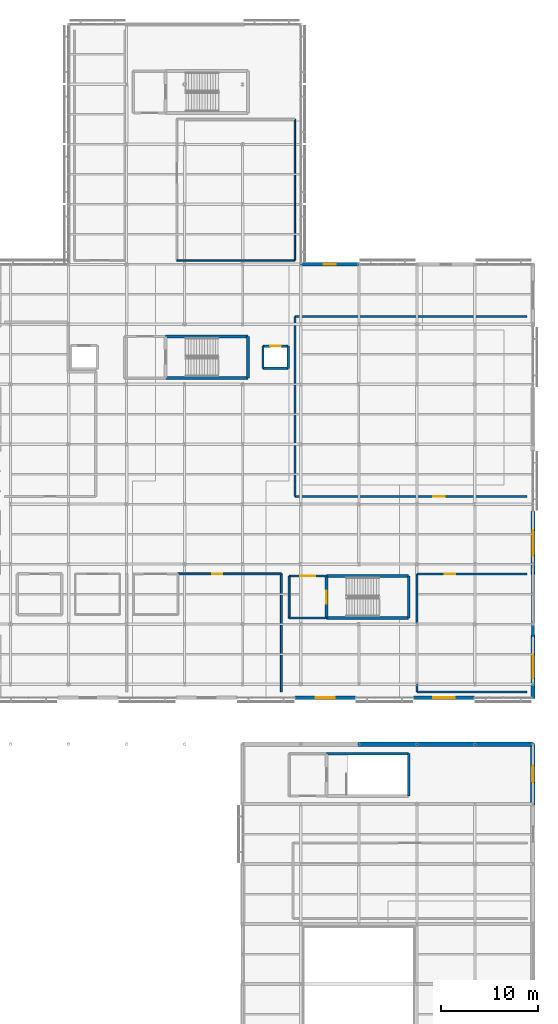
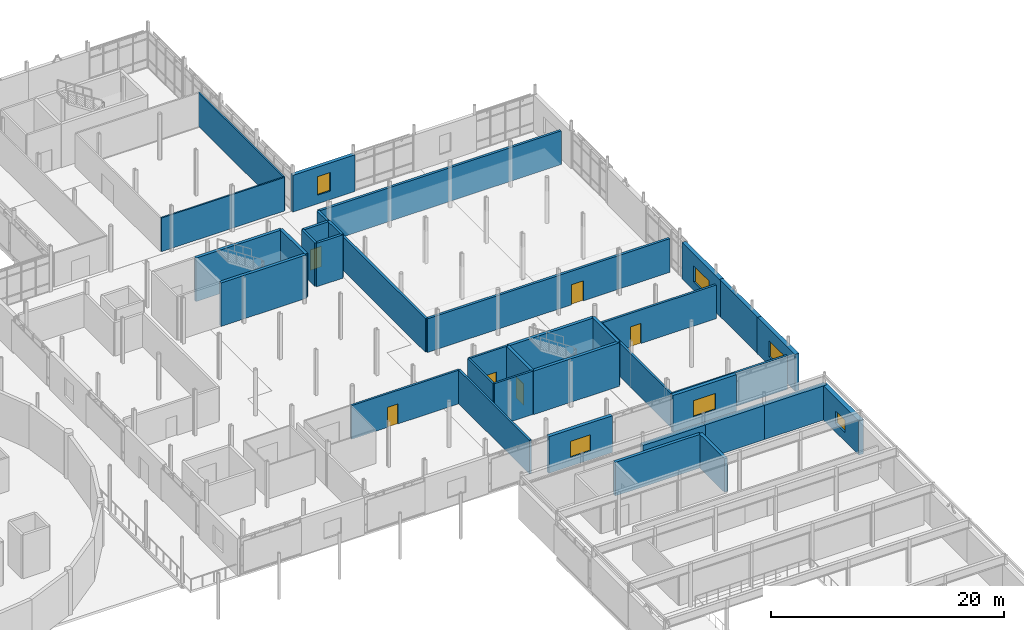
# One storey, part 62 of 84: 36 walls, 6 doors, 6 windows, 12 openings.
"""IFC4 building model written with IfcOpenShell, lengths in metres."""

from ifc_helpers import new_model, si_unit, direction, frame, frame_2d, origin, place, context, subcontext, project, spatial, rectangle, extrude, material, layer, layer_set, type_object, element, fill, save


model = new_model("IFC4")

# Units and contexts
model_context = context("Model", 3, precision=1e-05, world=origin(), true_north=direction((0.0, 1.0)))
body_context = subcontext(model_context, "Body", "Model", "MODEL_VIEW")
ifc_project = project(units=[si_unit("LENGTHUNIT", "METRE"), si_unit("AREAUNIT", "SQUARE_METRE"), si_unit("VOLUMEUNIT", "CUBIC_METRE"), si_unit("PLANEANGLEUNIT", "RADIAN"), si_unit("MASSUNIT", "GRAM", prefix="KILO")], contexts=[model_context])

# Site, building, storey
site_placement = place(None, origin())
site = spatial("IfcSite", under=ifc_project, at=site_placement, CompositionType="ELEMENT")
building_placement = place(site_placement, origin())
building = spatial("IfcBuilding", under=site, at=building_placement, Name="Mirzam Square Science Centre", CompositionType="ELEMENT")
storey_placement = place(building_placement, frame((0.0, 0.0, 10.800048828125)))
storey = spatial("IfcBuildingStorey", under=building, at=storey_placement, Name="L02", CompositionType="ELEMENT", Elevation=10.800048828125)

# Walls
ifc_material_1 = material(Name="Concrete C45/55", Category="concrete")
ifc_layer_1 = layer(ifc_material_1, 0.300048828125)
ifc_layer_set_1 = layer_set([ifc_layer_1], Name="W-CORE-300")
wall_type_1 = type_object("IfcWallType", Name="W-CORE-300", PredefinedType="SHEAR", material=ifc_layer_set_1)
for number, where, z_axis, x_axis, name in (
    (1, (124.0400390625, 75.0400390625, 0.0), (0.0, 0.0, 1.0), (1.0, 0.0, 0.0), "L02 CORE-4 south wall"),
    (2, (132.56005859375, 79.330078125, 0.0), (0.0, 0.0, 1.0), (-1.0, 0.0, 0.0), "L02 CORE-4 north wall"),
):
    element("IfcWall", number, at=place(storey_placement, frame(where, z_axis=z_axis, x_axis=x_axis)), inside=storey, type_object=wall_type_1, Name=name, PredefinedType="SHEAR", context=body_context, shape_type="SweptSolid", body=[
        extrude(rectangle(XDim=8.52001953125, YDim=0.300048828125, at=frame_2d((4.260009765625, 0.0))), origin(), (0.0, 0.0, 1.0), 4.550048828125),
    ])
wall_1_placement = place(storey_placement, frame((132.56005859375, 75.0400390625, 0.0), z_axis=(0.0, 0.0, 1.0), x_axis=(0.0, 1.0, 0.0)))
element("IfcWall", 3, at=wall_1_placement, inside=storey, type_object=wall_type_1, Name="L02 CORE-4 east wall", PredefinedType="SHEAR", context=body_context, shape_type="SweptSolid", body=[
    extrude(rectangle(XDim=4.2900390625, YDim=0.300048828125, at=frame_2d((2.14501953125, 0.0))), origin(), (0.0, 0.0, 1.0), 4.550048828125),
])
for number, where, z_axis, x_axis, name in (
    (4, (140.639892578125, 50.239990234375, 0.0), (0.0, 0.0, 1.0), (1.0, 0.0, 0.0), "L02 CORE-5 south wall"),
    (5, (149.159912109375, 54.570068359375, 0.0), (0.0, 0.0, 1.0), (-1.0, 0.0, 0.0), "L02 CORE-5 north wall"),
):
    element("IfcWall", number, at=place(storey_placement, frame(where, z_axis=z_axis, x_axis=x_axis)), inside=storey, type_object=wall_type_1, Name=name, PredefinedType="SHEAR", context=body_context, shape_type="SweptSolid", body=[
        extrude(rectangle(XDim=8.52001953125, YDim=0.300048828125, at=frame_2d((4.260009765625, 0.0))), origin(), (0.0, 0.0, 1.0), 4.550048828125),
    ])

# Wall, opening, door
wall_2_placement = place(storey_placement, frame((140.639892578125, 54.570068359375, 0.0), z_axis=(0.0, 0.0, 1.0), x_axis=(0.0, -1.0, 0.0)))
wall_2 = element("IfcWall", 6, at=wall_2_placement, inside=storey, type_object=wall_type_1, Name="L02 CORE-5 west wall", PredefinedType="SHEAR", context=body_context, shape_type="SweptSolid", body=[
    extrude(rectangle(XDim=4.330078125, YDim=0.300048828125, at=frame_2d((2.1650390625, 0.0))), origin(), (0.0, 0.0, 1.0), 4.550048828125),
])
opening_1_placement = place(wall_2_placement, frame((1.489990234375, 0.0, 0.0)))
opening_1 = element("IfcOpeningElement", 7, at=opening_1_placement, cuts=wall_2, Name="Opening DS-01", PredefinedType="OPENING", context=body_context, shape_type="SweptSolid", body=[
    extrude(rectangle(XDim=1.35009765625, YDim=2.199951171875, at=frame_2d((0.675048828125, 1.10009765625))), frame((0.0, 0.159912109375, 0.0), z_axis=(0.0, -1.0, 0.0), x_axis=(1.0, 0.0, 0.0)), (0.0, 0.0, 1.0), 0.320068359375),
])
ifc_material_2 = material(Name="Fire-Rated Powder-Coated Architectural Steel Door", Category="steel")
door_type_1 = type_object("IfcDoorType", Name="DR-STAIR-1350x2200", OperationType="NOTDEFINED", PredefinedType="DOOR", material=ifc_material_2)
door_1_placement = place(opening_1_placement, origin())
door_1 = element("IfcDoor", 8, at=door_1_placement, inside=storey, type_object=door_type_1, Name="DRS-5-L02", OperationType="SINGLE_SWING_RIGHT", OverallHeight=2.199951171875, OverallWidth=1.35009765625, PredefinedType="DOOR", context=body_context, shape_type="SweptSolid", body=[
    extrude(rectangle(XDim=1.35009765625, YDim=2.199951171875, at=frame_2d((0.675048828125, 1.10009765625))), frame((0.0, 0.02490234375, 0.0), z_axis=(0.0, -1.0, 0.0), x_axis=(1.0, 0.0, 0.0)), (0.0, 0.0, 1.0), 0.050048828125),
])
fill(opening_1, door_1)

# Walls
wall_3_placement = place(storey_placement, frame((149.159912109375, 50.239990234375, 0.0), z_axis=(0.0, 0.0, 1.0), x_axis=(0.0, 1.0, 0.0)))
element("IfcWall", 9, at=wall_3_placement, inside=storey, type_object=wall_type_1, Name="L02 CORE-5 east wall", PredefinedType="SHEAR", context=body_context, shape_type="SweptSolid", body=[
    extrude(rectangle(XDim=4.330078125, YDim=0.300048828125, at=frame_2d((2.1650390625, 0.0))), origin(), (0.0, 0.0, 1.0), 4.550048828125),
])
wall_4_placement = place(storey_placement, frame((149.159912109375, 36.2099609375, 0.0), z_axis=(0.0, 0.0, 1.0), x_axis=(-1.0, 0.0, 0.0)))
element("IfcWall", 10, at=wall_4_placement, inside=storey, type_object=wall_type_1, Name="L02 CORE-6 north wall", PredefinedType="SHEAR", context=body_context, shape_type="SweptSolid", body=[
    extrude(rectangle(XDim=8.52001953125, YDim=0.300048828125, at=frame_2d((4.260009765625, 0.0))), origin(), (0.0, 0.0, 1.0), 3.52001953125),
])
wall_5_placement = place(storey_placement, frame((149.159912109375, 31.840087890625, 0.0), z_axis=(0.0, 0.0, 1.0), x_axis=(0.0, 1.0, 0.0)))
element("IfcWall", 11, at=wall_5_placement, inside=storey, type_object=wall_type_1, Name="L02 CORE-6 east wall", PredefinedType="SHEAR", context=body_context, shape_type="SweptSolid", body=[
    extrude(rectangle(XDim=4.369873046875, YDim=0.300048828125, at=frame_2d((2.18505859375, 0.0))), origin(), (0.0, 0.0, 1.0), 3.52001953125),
])

# Wall, opening, window
ifc_material_3 = material(Name="Acoustic Ashlar Limestone Concrete C45/55", Category="masonry")
ifc_layer_2 = layer(ifc_material_3, 0.465087890625)
ifc_layer_set_2 = layer_set([ifc_layer_2], Name="W-EXT-ACOUST-465")
wall_type_2 = type_object("IfcWallType", Name="W-EXT-ACOUST-465", PredefinedType="SOLIDWALL", material=ifc_layer_set_2)
wall_6_placement = place(storey_placement, frame((162.0, 30.925048828125, 0.0), z_axis=(0.0, 0.0, 1.0), x_axis=(0.0, 1.0, 0.0)))
wall_6 = element("IfcWall", 12, at=wall_6_placement, inside=storey, type_object=wall_type_2, Name="L02 external wall EW-TH-E-L02-06", PredefinedType="SOLIDWALL", context=body_context, shape_type="SweptSolid", body=[
    extrude(rectangle(XDim=6.349853515625, YDim=0.465087890625, at=frame_2d((3.1748046875, 0.0))), origin(), (0.0, 0.0, 1.0), 3.579833984375),
])
opening_2_placement = place(wall_6_placement, frame((2.324951171875, 0.0, 0.89990234375)))
opening_2 = element("IfcOpeningElement", 13, at=opening_2_placement, cuts=wall_6, Name="Opening W-05", PredefinedType="OPENING", context=body_context, shape_type="SweptSolid", body=[
    extrude(rectangle(XDim=1.699951171875, YDim=1.300048828125, at=frame_2d((0.85009765625, 0.64990234375))), frame((0.0, 0.242431640625, 0.0), z_axis=(0.0, -1.0, 0.0), x_axis=(1.0, 0.0, 0.0)), (0.0, 0.0, 1.0), 0.485107421875),
])
ifc_material_4 = material(Name="Thermally Broken Bronze Aluminium and Low-E Glass", Category="aluminium")
window_type_1 = type_object("IfcWindowType", Name="WIN-1700x1300", PartitioningType="SINGLE_PANEL", PredefinedType="WINDOW", material=ifc_material_4)
window_1_placement = place(opening_2_placement, origin())
window_1 = element("IfcWindow", 14, at=window_1_placement, inside=storey, type_object=window_type_1, Name="L02 solar window 049", OverallHeight=1.300048828125, OverallWidth=1.699951171875, PartitioningType="SINGLE_PANEL", PredefinedType="WINDOW", context=body_context, shape_type="SweptSolid", body=[
    extrude(rectangle(XDim=1.699951171875, YDim=1.300048828125, at=frame_2d((0.85009765625, 0.64990234375))), frame((0.0, 0.030029296875, 0.0), z_axis=(0.0, -1.0, 0.0), x_axis=(1.0, 0.0, 0.0)), (0.0, 0.0, 1.0), 0.06005859375),
])
fill(opening_2, window_1)

# Walls
for number, where, z_axis, x_axis, name in (
    (15, (150.074951171875, 37.199951171875, 0.0), (0.0, 0.0, 1.0), (-1.0, 0.0, 0.0), "L02 external wall EW-TH-N-L02-25"),
    (16, (156.074951171875, 37.199951171875, 0.0), (0.0, 0.0, 1.0), (-1.0, 0.0, 0.0), "L02 external wall EW-TH-N-L02-26"),
    (17, (162.074951171875, 37.199951171875, 0.0), (0.0, 0.0, 1.0), (-1.0, 0.0, 0.0), "L02 external wall EW-TH-N-L02-27"),
):
    element("IfcWall", number, at=place(storey_placement, frame(where, z_axis=z_axis, x_axis=x_axis)), inside=storey, type_object=wall_type_2, Name=name, PredefinedType="SOLIDWALL", context=body_context, shape_type="SweptSolid", body=[
        extrude(rectangle(XDim=6.14990234375, YDim=0.465087890625, at=frame_2d((3.074951171875, 0.0))), origin(), (0.0, 0.0, 1.0), 3.579833984375),
    ])

# Wall, opening, window
ifc_material_5 = material(Name="Insulated Sand-Toned GFRC Concrete C40/50", Category="concrete")
ifc_layer_3 = layer(ifc_material_5, 0.340087890625)
ifc_layer_set_3 = layer_set([ifc_layer_3], Name="W-EXT-GFRC-340")
wall_type_3 = type_object("IfcWallType", Name="W-EXT-GFRC-340", PredefinedType="SOLIDWALL", material=ifc_layer_set_3)
wall_7_placement = place(storey_placement, frame((137.3916015625, 42.0, 0.0), z_axis=(0.0, 0.0, 1.0), x_axis=(1.0, 0.0, 0.0)))
wall_7 = element("IfcWall", 18, at=wall_7_placement, inside=storey, type_object=wall_type_3, Name="L02 external wall EW-EST-S-L02-06", PredefinedType="SOLIDWALL", context=body_context, shape_type="SweptSolid", body=[
    extrude(rectangle(XDim=6.283447265625, YDim=0.340087890625, at=frame_2d((3.1416015625, 0.0))), origin(), (0.0, 0.0, 1.0), 3.83984375),
])
opening_3_placement = place(wall_7_placement, frame((2.1416015625, 0.0, 0.89990234375)))
opening_3 = element("IfcOpeningElement", 19, at=opening_3_placement, cuts=wall_7, Name="Opening W-29", PredefinedType="OPENING", context=body_context, shape_type="SweptSolid", body=[
    extrude(rectangle(XDim=2.0, YDim=1.699951171875, at=frame_2d((1.0, 0.85009765625))), frame((0.0, 0.179931640625, 0.0), z_axis=(0.0, -1.0, 0.0), x_axis=(1.0, 0.0, 0.0)), (0.0, 0.0, 1.0), 0.360107421875),
])
window_type_2 = type_object("IfcWindowType", Name="WIN-2000x1700", PartitioningType="DOUBLE_PANEL_VERTICAL", PredefinedType="WINDOW", material=ifc_material_4)
window_2_placement = place(opening_3_placement, origin())
window_2 = element("IfcWindow", 20, at=window_2_placement, inside=storey, type_object=window_type_2, Name="L02 solar window 073", OverallHeight=1.699951171875, OverallWidth=2.0, PartitioningType="DOUBLE_PANEL_VERTICAL", PredefinedType="WINDOW", context=body_context, shape_type="SweptSolid", body=[
    extrude(rectangle(XDim=2.0, YDim=1.699951171875, at=frame_2d((1.0, 0.85009765625))), frame((0.0, 0.030029296875, 0.0), z_axis=(0.0, -1.0, 0.0), x_axis=(1.0, 0.0, 0.0)), (0.0, 0.0, 1.0), 0.06005859375),
])
fill(opening_3, window_2)

wall_8_placement = place(storey_placement, frame((149.658203125, 42.0, 0.0), z_axis=(0.0, 0.0, 1.0), x_axis=(1.0, 0.0, 0.0)))
wall_8 = element("IfcWall", 21, at=wall_8_placement, inside=storey, type_object=wall_type_3, Name="L02 external wall EW-EST-S-L02-08", PredefinedType="SOLIDWALL", context=body_context, shape_type="SweptSolid", body=[
    extrude(rectangle(XDim=6.283447265625, YDim=0.340087890625, at=frame_2d((3.1416015625, 0.0))), origin(), (0.0, 0.0, 1.0), 3.83984375),
])
opening_4_placement = place(wall_8_placement, frame((2.041748046875, 0.0, 0.89990234375)))
opening_4 = element("IfcOpeningElement", 22, at=opening_4_placement, cuts=wall_8, Name="Opening W-30", PredefinedType="OPENING", context=body_context, shape_type="SweptSolid", body=[
    extrude(rectangle(XDim=2.199951171875, YDim=1.699951171875, at=frame_2d((1.10009765625, 0.85009765625))), frame((0.0, 0.179931640625, 0.0), z_axis=(0.0, -1.0, 0.0), x_axis=(1.0, 0.0, 0.0)), (0.0, 0.0, 1.0), 0.360107421875),
])
window_type_3 = type_object("IfcWindowType", Name="WIN-2200x1700", PartitioningType="DOUBLE_PANEL_VERTICAL", PredefinedType="WINDOW", material=ifc_material_4)
window_3_placement = place(opening_4_placement, origin())
window_3 = element("IfcWindow", 23, at=window_3_placement, inside=storey, type_object=window_type_3, Name="L02 solar window 074", OverallHeight=1.699951171875, OverallWidth=2.199951171875, PartitioningType="DOUBLE_PANEL_VERTICAL", PredefinedType="WINDOW", context=body_context, shape_type="SweptSolid", body=[
    extrude(rectangle(XDim=2.199951171875, YDim=1.699951171875, at=frame_2d((1.10009765625, 0.85009765625))), frame((0.0, 0.030029296875, 0.0), z_axis=(0.0, -1.0, 0.0), x_axis=(1.0, 0.0, 0.0)), (0.0, 0.0, 1.0), 0.06005859375),
])
fill(opening_4, window_3)

wall_9_placement = place(storey_placement, frame((144.074951171875, 86.800048828125, 0.0), z_axis=(0.0, 0.0, 1.0), x_axis=(-1.0, 0.0, 0.0)))
wall_9 = element("IfcWall", 24, at=wall_9_placement, inside=storey, type_object=wall_type_3, Name="L02 external wall EW-EST-NE-L02-04", PredefinedType="SOLIDWALL", context=body_context, shape_type="SweptSolid", body=[
    extrude(rectangle(XDim=6.14990234375, YDim=0.340087890625, at=frame_2d((3.074951171875, 0.0))), origin(), (0.0, 0.0, 1.0), 3.83984375),
])
opening_5_placement = place(wall_9_placement, frame((2.449951171875, 0.0, 0.89990234375)))
opening_5 = element("IfcOpeningElement", 25, at=opening_5_placement, cuts=wall_9, Name="Opening W-35", PredefinedType="OPENING", context=body_context, shape_type="SweptSolid", body=[
    extrude(rectangle(XDim=1.25, YDim=1.949951171875, at=frame_2d((0.625, 0.97509765625))), frame((0.0, 0.179931640625, 0.0), z_axis=(0.0, -1.0, 0.0), x_axis=(1.0, 0.0, 0.0)), (0.0, 0.0, 1.0), 0.360107421875),
])
window_type_4 = type_object("IfcWindowType", Name="WIN-1250x1950", PartitioningType="SINGLE_PANEL", PredefinedType="WINDOW", material=ifc_material_4)
window_4_placement = place(opening_5_placement, origin())
window_4 = element("IfcWindow", 26, at=window_4_placement, inside=storey, type_object=window_type_4, Name="L02 solar window 079", OverallHeight=1.949951171875, OverallWidth=1.25, PartitioningType="SINGLE_PANEL", PredefinedType="WINDOW", context=body_context, shape_type="SweptSolid", body=[
    extrude(rectangle(XDim=1.25, YDim=1.949951171875, at=frame_2d((0.625, 0.97509765625))), frame((0.0, 0.030029296875, 0.0), z_axis=(0.0, -1.0, 0.0), x_axis=(1.0, 0.0, 0.0)), (0.0, 0.0, 1.0), 0.06005859375),
])
fill(opening_5, window_4)

ifc_layer_4 = layer(ifc_material_5, 0.385009765625)
ifc_layer_set_4 = layer_set([ifc_layer_4], Name="W-EXT-GFRC-385")
wall_type_4 = type_object("IfcWallType", Name="W-EXT-GFRC-385", PredefinedType="SOLIDWALL", material=ifc_layer_set_4)
wall_10_placement = place(storey_placement, frame((162.0, 41.925048828125, 0.0), z_axis=(0.0, 0.0, 1.0), x_axis=(0.0, 1.0, 0.0)))
wall_10 = element("IfcWall", 27, at=wall_10_placement, inside=storey, type_object=wall_type_4, Name="L02 external wall EW-EST-E-L02-01", PredefinedType="SOLIDWALL", context=body_context, shape_type="SweptSolid", body=[
    extrude(rectangle(XDim=6.550048828125, YDim=0.385009765625, at=frame_2d((3.27490234375, 0.0))), origin(), (0.0, 0.0, 1.0), 3.83984375),
])
opening_6_placement = place(wall_10_placement, frame((2.074951171875, 0.0, 0.89990234375)))
opening_6 = element("IfcOpeningElement", 28, at=opening_6_placement, cuts=wall_10, Name="Opening W-31", PredefinedType="OPENING", context=body_context, shape_type="SweptSolid", body=[
    extrude(rectangle(XDim=2.39990234375, YDim=1.699951171875, at=frame_2d((1.199951171875, 0.85009765625))), frame((0.0, 0.202392578125, 0.0), z_axis=(0.0, -1.0, 0.0), x_axis=(1.0, 0.0, 0.0)), (0.0, 0.0, 1.0), 0.405029296875),
])
window_type_5 = type_object("IfcWindowType", Name="WIN-2400x1700", PartitioningType="DOUBLE_PANEL_VERTICAL", PredefinedType="WINDOW", material=ifc_material_4)
window_5_placement = place(opening_6_placement, origin())
window_5 = element("IfcWindow", 29, at=window_5_placement, inside=storey, type_object=window_type_5, Name="L02 solar window 075", OverallHeight=1.699951171875, OverallWidth=2.39990234375, PartitioningType="DOUBLE_PANEL_VERTICAL", PredefinedType="WINDOW", context=body_context, shape_type="SweptSolid", body=[
    extrude(rectangle(XDim=2.39990234375, YDim=1.699951171875, at=frame_2d((1.199951171875, 0.85009765625))), frame((0.0, 0.030029296875, 0.0), z_axis=(0.0, -1.0, 0.0), x_axis=(1.0, 0.0, 0.0)), (0.0, 0.0, 1.0), 0.06005859375),
])
fill(opening_6, window_5)

wall_11_placement = place(storey_placement, frame((162.0, 54.72509765625, 0.0), z_axis=(0.0, 0.0, 1.0), x_axis=(0.0, 1.0, 0.0)))
wall_11 = element("IfcWall", 30, at=wall_11_placement, inside=storey, type_object=wall_type_4, Name="L02 external wall EW-EST-E-L02-03", PredefinedType="SOLIDWALL", context=body_context, shape_type="SweptSolid", body=[
    extrude(rectangle(XDim=6.5498046875, YDim=0.385009765625, at=frame_2d((3.27490234375, 0.0))), origin(), (0.0, 0.0, 1.0), 3.83984375),
])
opening_7_placement = place(wall_11_placement, frame((1.97509765625, 0.0, 0.89990234375)))
opening_7 = element("IfcOpeningElement", 31, at=opening_7_placement, cuts=wall_11, Name="Opening W-32", PredefinedType="OPENING", context=body_context, shape_type="SweptSolid", body=[
    extrude(rectangle(XDim=2.60009765625, YDim=1.699951171875, at=frame_2d((1.300048828125, 0.85009765625))), frame((0.0, 0.202392578125, 0.0), z_axis=(0.0, -1.0, 0.0), x_axis=(1.0, 0.0, 0.0)), (0.0, 0.0, 1.0), 0.405029296875),
])
window_type_6 = type_object("IfcWindowType", Name="WIN-2600x1700", PartitioningType="DOUBLE_PANEL_VERTICAL", PredefinedType="WINDOW", material=ifc_material_4)
window_6_placement = place(opening_7_placement, origin())
window_6 = element("IfcWindow", 32, at=window_6_placement, inside=storey, type_object=window_type_6, Name="L02 solar window 076", OverallHeight=1.699951171875, OverallWidth=2.60009765625, PartitioningType="DOUBLE_PANEL_VERTICAL", PredefinedType="WINDOW", context=body_context, shape_type="SweptSolid", body=[
    extrude(rectangle(XDim=2.60009765625, YDim=1.699951171875, at=frame_2d((1.300048828125, 0.85009765625))), frame((0.0, 0.030029296875, 0.0), z_axis=(0.0, -1.0, 0.0), x_axis=(1.0, 0.0, 0.0)), (0.0, 0.0, 1.0), 0.06005859375),
])
fill(opening_7, window_6)

# Walls
ifc_material_6 = material(Name="Standing-Seam Zinc-Clad Concrete Backup C40/50", Category="concrete")
ifc_layer_5 = layer(ifc_material_6, 0.35009765625)
ifc_layer_set_5 = layer_set([ifc_layer_5], Name="W-EXT-METAL-350")
wall_type_5 = type_object("IfcWallType", Name="W-EXT-METAL-350", PredefinedType="SOLIDWALL", material=ifc_layer_set_5)
wall_12_placement = place(storey_placement, frame((162.0, 48.324951171875, 0.0), z_axis=(0.0, 0.0, 1.0), x_axis=(0.0, 1.0, 0.0)))
element("IfcWall", 33, at=wall_12_placement, inside=storey, type_object=wall_type_5, Name="L02 external wall EW-EST-E-L02-02", PredefinedType="SOLIDWALL", context=body_context, shape_type="SweptSolid", body=[
    extrude(rectangle(XDim=6.550048828125, YDim=0.35009765625, at=frame_2d((3.27490234375, 0.0))), origin(), (0.0, 0.0, 1.0), 3.83984375),
])
ifc_layer_6 = layer(ifc_material_1, 0.199951171875)
ifc_layer_set_6 = layer_set([ifc_layer_6], Name="W-LOBBY-200")
wall_type_6 = type_object("IfcWallType", Name="W-LOBBY-200", PredefinedType="SHEAR", material=ifc_layer_set_6)
wall_13_placement = place(storey_placement, frame((136.800048828125, 50.239990234375, 0.0), z_axis=(0.0, 0.0, 1.0), x_axis=(1.0, 0.0, 0.0)))
element("IfcWall", 34, at=wall_13_placement, inside=storey, type_object=wall_type_6, Name="L02 CORE-5 lobby south wall", PredefinedType="SHEAR", context=body_context, shape_type="SweptSolid", body=[
    extrude(rectangle(XDim=3.83984375, YDim=0.199951171875, at=frame_2d((1.919921875, 0.0))), origin(), (0.0, 0.0, 1.0), 4.550048828125),
])

# Wall, opening, door
wall_14_placement = place(storey_placement, frame((140.639892578125, 54.570068359375, 0.0), z_axis=(0.0, 0.0, 1.0), x_axis=(-1.0, 0.0, 0.0)))
wall_14 = element("IfcWall", 35, at=wall_14_placement, inside=storey, type_object=wall_type_6, Name="L02 CORE-5 lobby north wall", PredefinedType="SHEAR", context=body_context, shape_type="SweptSolid", body=[
    extrude(rectangle(XDim=3.83984375, YDim=0.199951171875, at=frame_2d((1.919921875, 0.0))), origin(), (0.0, 0.0, 1.0), 4.550048828125),
])
opening_8_placement = place(wall_14_placement, frame((1.14501953125, 0.0, 0.0)))
opening_8 = element("IfcOpeningElement", 36, at=opening_8_placement, cuts=wall_14, Name="Opening DL-01", PredefinedType="OPENING", context=body_context, shape_type="SweptSolid", body=[
    extrude(rectangle(XDim=1.550048828125, YDim=2.199951171875, at=frame_2d((0.77490234375, 1.10009765625))), frame((0.0, 0.10986328125, 0.0), z_axis=(0.0, -1.0, 0.0), x_axis=(1.0, 0.0, 0.0)), (0.0, 0.0, 1.0), 0.219970703125),
])
ifc_material_7 = material(Name="Fire-Rated Glazed Architectural Steel Lobby Door", Category="steel")
door_type_2 = type_object("IfcDoorType", Name="DR-LOBBY-1550x2200", OperationType="DOUBLE_DOOR_SINGLE_SWING", PredefinedType="DOOR", material=ifc_material_7)
door_2_placement = place(opening_8_placement, origin())
door_2 = element("IfcDoor", 37, at=door_2_placement, inside=storey, type_object=door_type_2, Name="DRL-5-L02", OperationType="SINGLE_SWING_LEFT", OverallHeight=2.199951171875, OverallWidth=1.550048828125, PredefinedType="DOOR", context=body_context, shape_type="SweptSolid", body=[
    extrude(rectangle(XDim=1.550048828125, YDim=2.199951171875, at=frame_2d((0.77490234375, 1.10009765625))), frame((0.0, 0.02490234375, 0.0), z_axis=(0.0, -1.0, 0.0), x_axis=(1.0, 0.0, 0.0)), (0.0, 0.0, 1.0), 0.050048828125),
])
fill(opening_8, door_2)

# Walls
wall_15_placement = place(storey_placement, frame((136.800048828125, 54.570068359375, 0.0), z_axis=(0.0, 0.0, 1.0), x_axis=(0.0, -1.0, 0.0)))
element("IfcWall", 38, at=wall_15_placement, inside=storey, type_object=wall_type_6, Name="L02 CORE-5 lobby west wall", PredefinedType="SHEAR", context=body_context, shape_type="SweptSolid", body=[
    extrude(rectangle(XDim=4.330078125, YDim=0.199951171875, at=frame_2d((2.1650390625, 0.0))), origin(), (0.0, 0.0, 1.0), 4.550048828125),
])
ifc_material_8 = material(Name="Laboratory Acoustic Partition", Category="gypsum")
ifc_layer_7 = layer(ifc_material_8, 0.14990234375)
ifc_layer_set_7 = layer_set([ifc_layer_7], Name="W-PART-150")
wall_type_7 = type_object("IfcWallType", Name="W-PART-150", PredefinedType="PARTITIONING", material=ifc_layer_set_7)
wall_16_placement = place(storey_placement, frame((137.39990234375, 101.800048828125, 0.0), z_axis=(0.0, 0.0, 1.0), x_axis=(0.0, -1.0, 0.0)))
element("IfcWall", 39, at=wall_16_placement, inside=storey, type_object=wall_type_7, Name="L02 Scientific Instrument Conservation Studio partition 207", PredefinedType="PARTITIONING", context=body_context, shape_type="SweptSolid", body=[
    extrude(rectangle(XDim=14.60009765625, YDim=0.14990234375, at=frame_2d((7.300048828125, 0.0))), origin(), (0.0, 0.0, 1.0), 3.52001953125),
])
wall_17_placement = place(storey_placement, frame((137.39990234375, 87.199951171875, 0.0), z_axis=(0.0, 0.0, 1.0), x_axis=(-1.0, 0.0, 0.0)))
element("IfcWall", 40, at=wall_17_placement, inside=storey, type_object=wall_type_7, Name="L02 Scientific Instrument Conservation Studio partition 208", PredefinedType="PARTITIONING", context=body_context, shape_type="SweptSolid", body=[
    extrude(rectangle(XDim=12.199951171875, YDim=0.14990234375, at=frame_2d((6.10009765625, 0.0))), origin(), (0.0, 0.0, 1.0), 3.52001953125),
])
ifc_material_9 = material(Name="Fire-Rated Corridor Blockwork Concrete C30/37", Category="masonry")
ifc_layer_8 = layer(ifc_material_9, 0.199951171875)
ifc_layer_set_8 = layer_set([ifc_layer_8], Name="W-PART-200")
wall_type_8 = type_object("IfcWallType", Name="W-PART-200", PredefinedType="PARTITIONING", material=ifc_layer_set_8)
wall_18_placement = place(storey_placement, frame((136.0, 54.800048828125, 0.0), z_axis=(0.0, 0.0, 1.0), x_axis=(0.0, -1.0, 0.0)))
element("IfcWall", 41, at=wall_18_placement, inside=storey, type_object=wall_type_8, Name="L02 Chemistry Wet Laboratory 1 and Prep Room partition 182", PredefinedType="PARTITIONING", context=body_context, shape_type="SweptSolid", body=[
    extrude(rectangle(XDim=12.199951171875, YDim=0.199951171875, at=frame_2d((6.10009765625, 0.0))), origin(), (0.0, 0.0, 1.0), 3.52001953125),
])

# Wall, opening, door
wall_19_placement = place(storey_placement, frame((125.31005859375, 54.800048828125, 0.0), z_axis=(0.0, 0.0, 1.0), x_axis=(1.0, 0.0, 0.0)))
wall_19 = element("IfcWall", 42, at=wall_19_placement, inside=storey, type_object=wall_type_8, Name="L02 Chemistry Wet Laboratory 1 and Prep Room partition 184", PredefinedType="PARTITIONING", context=body_context, shape_type="SweptSolid", body=[
    extrude(rectangle(XDim=10.68994140625, YDim=0.199951171875, at=frame_2d((5.344970703125, 0.0))), origin(), (0.0, 0.0, 1.0), 3.52001953125),
])
opening_9_placement = place(wall_19_placement, frame((3.562255859375, 0.0, 0.0)))
opening_9 = element("IfcOpeningElement", 43, at=opening_9_placement, cuts=wall_19, Name="Opening D-03", PredefinedType="OPENING", context=body_context, shape_type="SweptSolid", body=[
    extrude(rectangle(XDim=1.0, YDim=2.10009765625, at=frame_2d((0.5, 1.050048828125))), frame((0.0, 0.10986328125, 0.0), z_axis=(0.0, -1.0, 0.0), x_axis=(1.0, 0.0, 0.0)), (0.0, 0.0, 1.0), 0.219970703125),
])
ifc_material_10 = material(Name="Solid Core Acoustic Oak Timber Door", Category="wood")
door_type_3 = type_object("IfcDoorType", Name="DR-INT-1000x2100", OperationType="NOTDEFINED", PredefinedType="DOOR", material=ifc_material_10)
door_3_placement = place(opening_9_placement, origin())
door_3 = element("IfcDoor", 44, at=door_3_placement, inside=storey, type_object=door_type_3, Name="ID-L02-0050", OperationType="SINGLE_SWING_LEFT", OverallHeight=2.10009765625, OverallWidth=1.0, PredefinedType="DOOR", context=body_context, shape_type="SweptSolid", body=[
    extrude(rectangle(XDim=1.0, YDim=2.10009765625, at=frame_2d((0.5, 1.050048828125))), frame((0.0, 0.02490234375, 0.0), z_axis=(0.0, -1.0, 0.0), x_axis=(1.0, 0.0, 0.0)), (0.0, 0.0, 1.0), 0.050048828125),
])
fill(opening_9, door_3)

ifc_material_11 = material(Name="Chemical Prep Fire Partition Concrete C30/37", Category="concrete")
ifc_layer_9 = layer(ifc_material_11, 0.215087890625)
ifc_layer_set_9 = layer_set([ifc_layer_9], Name="W-PART-215")
wall_type_9 = type_object("IfcWallType", Name="W-PART-215", PredefinedType="PARTITIONING", material=ifc_layer_set_9)
wall_20_placement = place(storey_placement, frame((150.0, 54.800048828125, 0.0), z_axis=(0.0, 0.0, 1.0), x_axis=(1.0, 0.0, 0.0)))
wall_20 = element("IfcWall", 45, at=wall_20_placement, inside=storey, type_object=wall_type_9, Name="L02 Molecular Biology Wet Laboratory 2 partition 185", PredefinedType="PARTITIONING", context=body_context, shape_type="SweptSolid", body=[
    extrude(rectangle(XDim=11.39990234375, YDim=0.215087890625, at=frame_2d((5.699951171875, 0.0))), origin(), (0.0, 0.0, 1.0), 3.52001953125),
])
opening_10_placement = place(wall_20_placement, frame((2.89501953125, 0.0, 0.0)))
opening_10 = element("IfcOpeningElement", 46, at=opening_10_placement, cuts=wall_20, Name="Opening D-04", PredefinedType="OPENING", context=body_context, shape_type="SweptSolid", body=[
    extrude(rectangle(XDim=1.050048828125, YDim=2.10009765625, at=frame_2d((0.52490234375, 1.050048828125))), frame((0.0, 0.117431640625, 0.0), z_axis=(0.0, -1.0, 0.0), x_axis=(1.0, 0.0, 0.0)), (0.0, 0.0, 1.0), 0.235107421875),
])
door_type_4 = type_object("IfcDoorType", Name="DR-INT-1050x2100", OperationType="NOTDEFINED", PredefinedType="DOOR", material=ifc_material_10)
door_4_placement = place(opening_10_placement, origin())
door_4 = element("IfcDoor", 47, at=door_4_placement, inside=storey, type_object=door_type_4, Name="ID-L02-0051", OperationType="SINGLE_SWING_RIGHT", OverallHeight=2.10009765625, OverallWidth=1.050048828125, PredefinedType="DOOR", context=body_context, shape_type="SweptSolid", body=[
    extrude(rectangle(XDim=1.050048828125, YDim=2.10009765625, at=frame_2d((0.52490234375, 1.050048828125))), frame((0.0, 0.02490234375, 0.0), z_axis=(0.0, -1.0, 0.0), x_axis=(1.0, 0.0, 0.0)), (0.0, 0.0, 1.0), 0.050048828125),
])
fill(opening_10, door_4)

# Walls
wall_21_placement = place(storey_placement, frame((161.39990234375, 42.60009765625, 0.0), z_axis=(0.0, 0.0, 1.0), x_axis=(-1.0, 0.0, 0.0)))
element("IfcWall", 48, at=wall_21_placement, inside=storey, type_object=wall_type_9, Name="L02 Molecular Biology Wet Laboratory 2 partition 186", PredefinedType="PARTITIONING", context=body_context, shape_type="SweptSolid", body=[
    extrude(rectangle(XDim=11.39990234375, YDim=0.215087890625, at=frame_2d((5.699951171875, 0.0))), origin(), (0.0, 0.0, 1.0), 3.52001953125),
])
wall_22_placement = place(storey_placement, frame((150.0, 42.60009765625, 0.0), z_axis=(0.0, 0.0, 1.0), x_axis=(0.0, 1.0, 0.0)))
element("IfcWall", 49, at=wall_22_placement, inside=storey, type_object=wall_type_9, Name="L02 Molecular Biology Wet Laboratory 2 partition 187", PredefinedType="PARTITIONING", context=body_context, shape_type="SweptSolid", body=[
    extrude(rectangle(XDim=12.199951171875, YDim=0.215087890625, at=frame_2d((6.10009765625, 0.0))), origin(), (0.0, 0.0, 1.0), 3.52001953125),
])
ifc_material_12 = material(Name="Plant Acoustic Barrier Wall Concrete C35/45", Category="concrete")
ifc_layer_10 = layer(ifc_material_12, 0.2451171875)
ifc_layer_set_10 = layer_set([ifc_layer_10], Name="W-PART-245")
wall_type_10 = type_object("IfcWallType", Name="W-PART-245", PredefinedType="PARTITIONING", material=ifc_layer_set_10)
wall_23_placement = place(storey_placement, frame((137.39990234375, 81.39990234375, 0.0), z_axis=(0.0, 0.0, 1.0), x_axis=(1.0, 0.0, 0.0)))
element("IfcWall", 50, at=wall_23_placement, inside=storey, type_object=wall_type_10, Name="L02 Digital Fabrication STEM Workshop 5 partition 193", PredefinedType="PARTITIONING", context=body_context, shape_type="SweptSolid", body=[
    extrude(rectangle(XDim=24.0, YDim=0.2451171875, at=frame_2d((12.0, 0.0))), origin(), (0.0, 0.0, 1.0), 3.52001953125),
])

# Wall, opening, door
wall_24_placement = place(storey_placement, frame((161.39990234375, 62.800048828125, 0.0), z_axis=(0.0, 0.0, 1.0), x_axis=(-1.0, 0.0, 0.0)))
wall_24 = element("IfcWall", 51, at=wall_24_placement, inside=storey, type_object=wall_type_10, Name="L02 Digital Fabrication STEM Workshop 5 partition 194", PredefinedType="PARTITIONING", context=body_context, shape_type="SweptSolid", body=[
    extrude(rectangle(XDim=24.0, YDim=0.2451171875, at=frame_2d((12.0, 0.0))), origin(), (0.0, 0.0, 1.0), 3.52001953125),
])
opening_11_placement = place(wall_24_placement, frame((8.52001953125, 0.0, 0.0)))
opening_11 = element("IfcOpeningElement", 52, at=opening_11_placement, cuts=wall_24, Name="Opening D-06", PredefinedType="OPENING", context=body_context, shape_type="SweptSolid", body=[
    extrude(rectangle(XDim=1.199951171875, YDim=2.10009765625, at=frame_2d((0.60009765625, 1.050048828125))), frame((0.0, 0.132568359375, 0.0), z_axis=(0.0, -1.0, 0.0), x_axis=(1.0, 0.0, 0.0)), (0.0, 0.0, 1.0), 0.26513671875),
])
door_type_5 = type_object("IfcDoorType", Name="DR-INT-1200x2100", OperationType="NOTDEFINED", PredefinedType="DOOR", material=ifc_material_10)
door_5_placement = place(opening_11_placement, origin())
door_5 = element("IfcDoor", 53, at=door_5_placement, inside=storey, type_object=door_type_5, Name="ID-L02-0053", OperationType="SINGLE_SWING_RIGHT", OverallHeight=2.10009765625, OverallWidth=1.199951171875, PredefinedType="DOOR", context=body_context, shape_type="SweptSolid", body=[
    extrude(rectangle(XDim=1.199951171875, YDim=2.10009765625, at=frame_2d((0.60009765625, 1.050048828125))), frame((0.0, 0.02490234375, 0.0), z_axis=(0.0, -1.0, 0.0), x_axis=(1.0, 0.0, 0.0)), (0.0, 0.0, 1.0), 0.050048828125),
])
fill(opening_11, door_5)

# Walls
wall_25_placement = place(storey_placement, frame((137.39990234375, 62.800048828125, 0.0), z_axis=(0.0, 0.0, 1.0), x_axis=(0.0, 1.0, 0.0)))
element("IfcWall", 54, at=wall_25_placement, inside=storey, type_object=wall_type_10, Name="L02 Digital Fabrication STEM Workshop 5 partition 195", PredefinedType="PARTITIONING", context=body_context, shape_type="SweptSolid", body=[
    extrude(rectangle(XDim=18.599853515625, YDim=0.2451171875, at=frame_2d((9.2998046875, 0.0))), origin(), (0.0, 0.0, 1.0), 3.52001953125),
])
ifc_layer_11 = layer(ifc_material_1, 0.25)
ifc_layer_set_11 = layer_set([ifc_layer_11], Name="W-SHAFT-250")
wall_type_11 = type_object("IfcWallType", Name="W-SHAFT-250", PredefinedType="SHEAR", material=ifc_layer_set_11)
wall_26_placement = place(storey_placement, frame((134.10009765625, 76.050048828125, 0.0), z_axis=(0.0, 0.0, 1.0), x_axis=(1.0, 0.0, 0.0)))
element("IfcWall", 55, at=wall_26_placement, inside=storey, type_object=wall_type_11, Name="L02 lift LP-03 shaft wall S", PredefinedType="SHEAR", context=body_context, shape_type="SweptSolid", body=[
    extrude(rectangle(XDim=2.599853515625, YDim=0.25, at=frame_2d((1.2998046875, 0.0))), origin(), (0.0, 0.0, 1.0), 4.550048828125),
])

# Wall, opening, door
wall_27_placement = place(storey_placement, frame((136.699951171875, 78.35009765625, 0.0), z_axis=(0.0, 0.0, 1.0), x_axis=(-1.0, 0.0, 0.0)))
wall_27 = element("IfcWall", 56, at=wall_27_placement, inside=storey, type_object=wall_type_11, Name="L02 lift LP-03 shaft wall N", PredefinedType="SHEAR", context=body_context, shape_type="SweptSolid", body=[
    extrude(rectangle(XDim=2.599853515625, YDim=0.25, at=frame_2d((1.2998046875, 0.0))), origin(), (0.0, 0.0, 1.0), 4.550048828125),
])
opening_12_placement = place(wall_27_placement, frame((0.75, 0.0, 0.0)))
opening_12 = element("IfcOpeningElement", 57, at=opening_12_placement, cuts=wall_27, Name="Opening LD-01", PredefinedType="OPENING", context=body_context, shape_type="SweptSolid", body=[
    extrude(rectangle(XDim=1.10009765625, YDim=2.14990234375, at=frame_2d((0.550048828125, 1.074951171875))), frame((0.0, 0.135009765625, 0.0), z_axis=(0.0, -1.0, 0.0), x_axis=(1.0, 0.0, 0.0)), (0.0, 0.0, 1.0), 0.27001953125),
])
ifc_material_13 = material(Name="Brushed Stainless Steel 316L Sliding Lift Door", Category="steel")
door_type_6 = type_object("IfcDoorType", Name="LD-PASS-1100x2150", OperationType="DOUBLE_DOOR_SLIDING", PredefinedType="DOOR", material=ifc_material_13)
door_6_placement = place(opening_12_placement, origin())
door_6 = element("IfcDoor", 58, at=door_6_placement, inside=storey, type_object=door_type_6, Name="LD-LP-03-L02", OperationType="DOUBLE_DOOR_SLIDING", OverallHeight=2.14990234375, OverallWidth=1.10009765625, PredefinedType="DOOR", context=body_context, shape_type="SweptSolid", body=[
    extrude(rectangle(XDim=1.10009765625, YDim=2.14990234375, at=frame_2d((0.550048828125, 1.074951171875))), frame((0.0, 0.02490234375, 0.0), z_axis=(0.0, -1.0, 0.0), x_axis=(1.0, 0.0, 0.0)), (0.0, 0.0, 1.0), 0.050048828125),
])
fill(opening_12, door_6)

# Walls
for number, where, z_axis, x_axis, name in (
    (59, (134.10009765625, 78.35009765625, 0.0), (0.0, 0.0, 1.0), (0.0, -1.0, 0.0), "L02 lift LP-03 shaft wall W"),
    (60, (136.699951171875, 76.050048828125, 0.0), (0.0, 0.0, 1.0), (0.0, 1.0, 0.0), "L02 lift LP-03 shaft wall E"),
):
    element("IfcWall", number, at=place(storey_placement, frame(where, z_axis=z_axis, x_axis=x_axis)), inside=storey, type_object=wall_type_11, Name=name, PredefinedType="SHEAR", context=body_context, shape_type="SweptSolid", body=[
        extrude(rectangle(XDim=2.300048828125, YDim=0.25, at=frame_2d((1.14990234375, 0.0))), origin(), (0.0, 0.0, 1.0), 4.550048828125),
    ])

save(model, "model.ifc")
